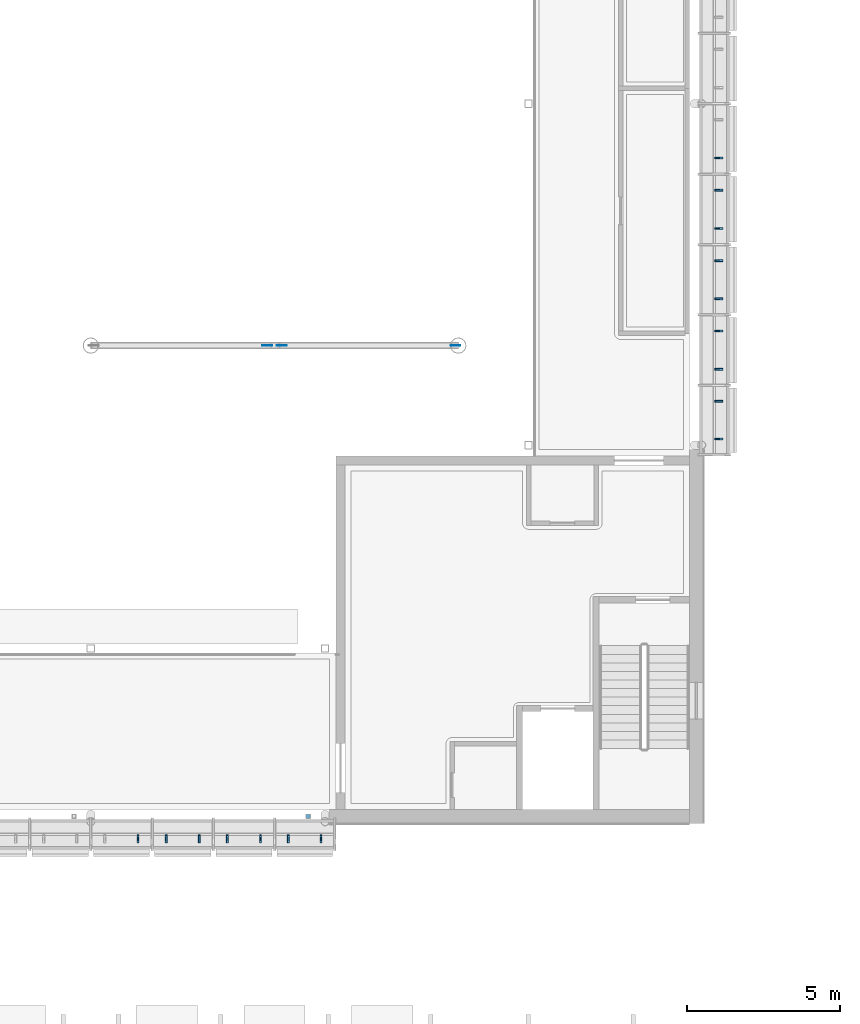
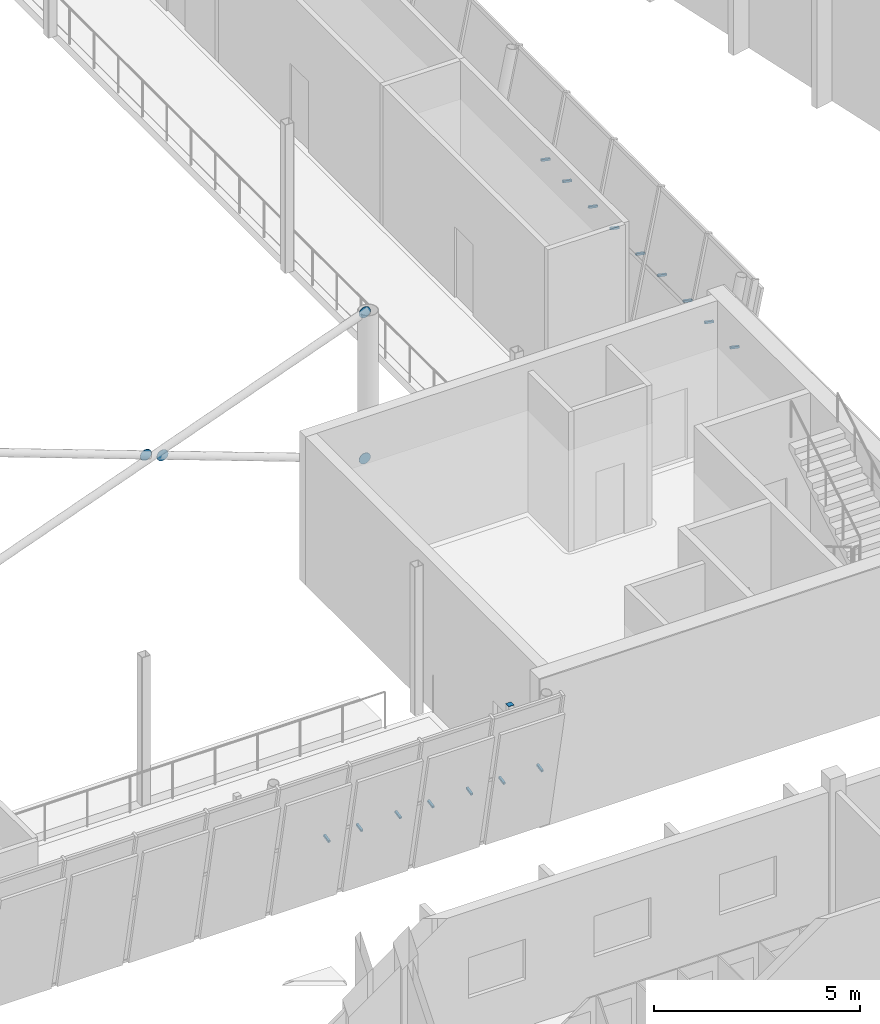
# One storey, part 90 of 115: 21 discrete accessories.
"""IFC4 building model written with IfcOpenShell, lengths in metres."""

from ifc_helpers import new_model, si_unit, direction, frame, origin, origin_2d, place, context, subcontext, project, spatial, rectangle, circle, extrude, material, layer, layer_set, type_object, element, save


model = new_model("IFC4")

# Units and contexts
model_context = context("Model", 3, precision=1e-05, world=origin(), true_north=direction((0.0, 1.0)))
body_context = subcontext(model_context, "Body", "Model", "MODEL_VIEW")
ifc_project = project(units=[si_unit("LENGTHUNIT", "METRE"), si_unit("AREAUNIT", "SQUARE_METRE"), si_unit("VOLUMEUNIT", "CUBIC_METRE"), si_unit("PLANEANGLEUNIT", "RADIAN"), si_unit("MASSUNIT", "GRAM", prefix="KILO")], contexts=[model_context])

# Site, building, storey
site_placement = place(None, origin())
site = spatial("IfcSite", under=ifc_project, at=site_placement, CompositionType="ELEMENT")
building_placement = place(site_placement, origin())
building = spatial("IfcBuilding", under=site, at=building_placement, Name="Windward Yard Aquatics Centre", CompositionType="ELEMENT")
storey_placement = place(building_placement, frame((0.0, 0.0, 5.0)))
storey = spatial("IfcBuildingStorey", under=building, at=storey_placement, Name="L01", CompositionType="ELEMENT", Elevation=5.0)

# Discrete accessories
ifc_material = material(Name="Steel S355", Category="steel")
ifc_layer_1 = layer(ifc_material, 0.010009765625)
ifc_layer_set_1 = layer_set([ifc_layer_1], Name="End cap plate 10 mm RHS152.4x152.4x12.7")
discrete_accessory_type_1 = type_object("IfcDiscreteAccessoryType", Name="End cap plate 10 mm RHS152.4x152.4x12.7", PredefinedType="USERDEFINED", material=ifc_layer_set_1)
discrete_accessory_placement = place(storey_placement, frame((139.10009765625, 26.22509765625, 3.742919921875), z_axis=(0.0, 0.0, 1.0), x_axis=(1.0, 0.0, 0.0)))
element("IfcDiscreteAccessory", 1, at=discrete_accessory_placement, inside=storey, type_object=discrete_accessory_type_1, Name="End cap", ObjectType="END CAP", PredefinedType="USERDEFINED", context=body_context, shape_type="SweptSolid", body=[
    extrude(rectangle(XDim=0.15234375, YDim=0.15234375, at=origin_2d()), origin(), (0.0, 0.0, 1.0), 0.010009765625),
])
ifc_layer_2 = layer(ifc_material, 0.011962890625)
ifc_layer_set_2 = layer_set([ifc_layer_2], Name="Gusset plate 320 mm disc 12 mm")
discrete_accessory_type_2 = type_object("IfcDiscreteAccessoryType", Name="Gusset plate 320 mm disc 12 mm", PredefinedType="USERDEFINED", material=ifc_layer_set_2)
for number, where, z_axis, x_axis, name in (
    (2, (143.906005859375, 41.593994140625, 4.365478515625), (0.0, 1.0, 0.0), (-1.0, 0.0, 0.0), "Gusset plate"),
    (3, (137.765869140625, 41.593994140625, 2.285888671875), (0.0, 1.0, 0.0), (-1.0, 0.0, 0.0), "Gusset plate"),
    (4, (138.234130859375, 41.593994140625, 2.114013671875), (0.0, 1.0, 0.0), (-1.0, 0.0, 0.0), "Gusset plate"),
    (5, (143.906005859375, 41.593994140625, 0.034423828125), (0.0, 1.0, 0.0), (-1.0, 0.0, 0.0), "Gusset plate"),
):
    element("IfcDiscreteAccessory", number, at=place(storey_placement, frame(where, z_axis=z_axis, x_axis=x_axis)), inside=storey, type_object=discrete_accessory_type_2, Name=name, ObjectType="GUSSET PLATE", PredefinedType="USERDEFINED", context=body_context, shape_type="SweptSolid", body=[
        extrude(circle(Radius=0.159912109375, at=origin_2d()), origin(), (0.0, 0.0, 1.0), 0.011962890625),
    ])
for number, where, z_axis, x_axis, name in (
    (6, (133.542724609375, 25.6123046875, 2.193603515625), (0.0, -0.979936662274, -0.199309151649), (1.0, 0.0, 0.0), "Louvre bracket S L01 B16.2"),
    (7, (134.458984375, 25.6123046875, 2.193603515625), (0.0, -0.979936662274, -0.199309151649), (1.0, 0.0, 0.0), "Louvre bracket S L01 B17.1"),
    (8, (135.54248046875, 25.6123046875, 2.193603515625), (0.0, -0.979936662274, -0.199309151649), (1.0, 0.0, 0.0), "Louvre bracket S L01 B17.2"),
    (9, (136.458740234375, 25.6123046875, 2.193603515625), (0.0, -0.979936662274, -0.199309151649), (1.0, 0.0, 0.0), "Louvre bracket S L01 B18.1"),
    (10, (137.542236328125, 25.6123046875, 2.193603515625), (0.0, -0.979936662274, -0.199309151649), (1.0, 0.0, 0.0), "Louvre bracket S L01 B18.2"),
    (11, (138.451171875, 25.6123046875, 2.193603515625), (0.0, -0.979936662274, -0.199309151649), (1.0, 0.0, 0.0), "Louvre bracket S L01 B19.1"),
    (12, (139.5166015625, 25.6123046875, 2.193603515625), (0.0, -0.979936662274, -0.199309151649), (1.0, 0.0, 0.0), "Louvre bracket S L01 B19.2"),
    (13, (152.3876953125, 38.549560546875, 2.193603515625), (0.979936662274, 0.0, -0.199309151649), (0.0, 1.0, 0.0), "Louvre bracket E L01 A1.1"),
    (14, (152.3876953125, 39.782958984375, 2.193603515625), (0.979936662274, 0.0, -0.199309151649), (0.0, 1.0, 0.0), "Louvre bracket E L01 A1.2"),
    (15, (152.3876953125, 40.82421875, 2.193603515625), (0.979936662274, 0.0, -0.199309151649), (0.0, 1.0, 0.0), "Louvre bracket E L01 A2.1"),
    (16, (152.3876953125, 42.07568359375, 2.193603515625), (0.979936662274, 0.0, -0.199309151649), (0.0, 1.0, 0.0), "Louvre bracket E L01 A2.2"),
    (17, (152.3876953125, 43.124267578125, 2.193603515625), (0.979936662274, 0.0, -0.199309151649), (0.0, 1.0, 0.0), "Louvre bracket E L01 A3.1"),
    (18, (152.3876953125, 44.375732421875, 2.193603515625), (0.979936662274, 0.0, -0.199309151649), (0.0, 1.0, 0.0), "Louvre bracket E L01 A3.2"),
    (19, (152.3876953125, 45.42431640625, 2.193603515625), (0.979936662274, 0.0, -0.199309151649), (0.0, 1.0, 0.0), "Louvre bracket E L01 A4.1"),
    (20, (152.3876953125, 46.67578125, 2.193603515625), (0.979936662274, 0.0, -0.199309151649), (0.0, 1.0, 0.0), "Louvre bracket E L01 A4.2"),
    (21, (152.3876953125, 47.72412109375, 2.193603515625), (0.979936662274, 0.0, -0.199309151649), (0.0, 1.0, 0.0), "Louvre bracket E L01 A5.1"),
):
    element("IfcDiscreteAccessory", number, at=place(storey_placement, frame(where, z_axis=z_axis, x_axis=x_axis)), inside=storey, Name=name, PredefinedType="BRACKET", context=body_context, shape_type="SweptSolid", body=[
        extrude(rectangle(XDim=0.06005859375, YDim=0.06005859375, at=origin_2d()), origin(), (0.0, 0.0, 1.0), 0.25),
    ])

save(model, "model.ifc")
